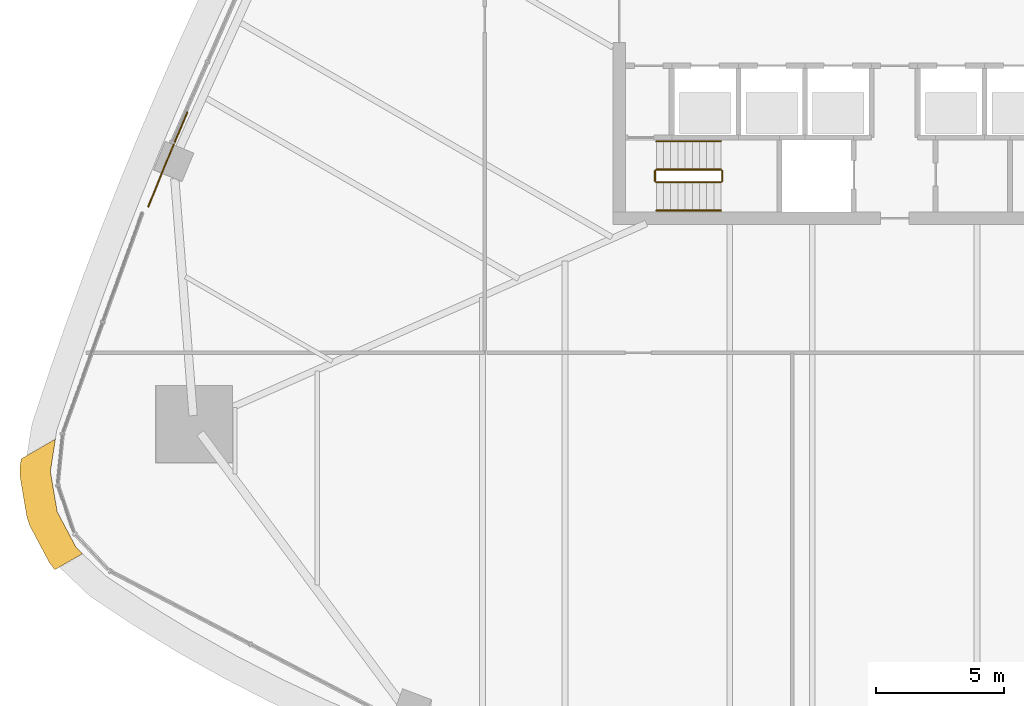
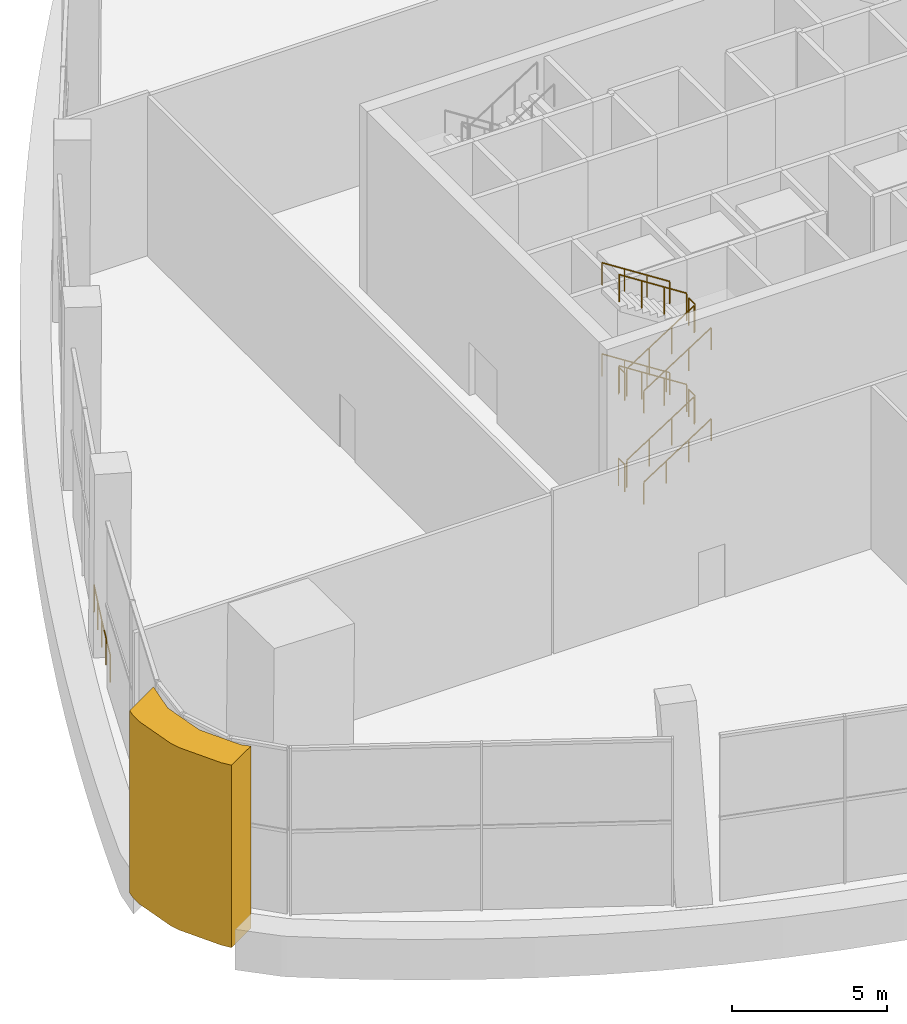
# One storey, part 17 of 23: 13 railings, 1 covering.
"""IFC4 building model written with IfcOpenShell, lengths in metres."""

from ifc_helpers import new_model, si_unit, direction, frame, origin, origin_2d, place, context, subcontext, project, spatial, polyline, circle, outline, extrude, material, layer, layer_set, type_object, element, save


model = new_model("IFC4")

# Units and contexts
model_context = context("Model", 3, precision=1e-05, world=origin(), true_north=direction((0.0, 1.0)))
body_context = subcontext(model_context, "Body", "Model", "MODEL_VIEW")
ifc_project = project(units=[si_unit("LENGTHUNIT", "METRE"), si_unit("AREAUNIT", "SQUARE_METRE"), si_unit("VOLUMEUNIT", "CUBIC_METRE"), si_unit("PLANEANGLEUNIT", "RADIAN"), si_unit("MASSUNIT", "GRAM", prefix="KILO")], contexts=[model_context])

# Site, building, storey
site_placement = place(None, origin())
site = spatial("IfcSite", under=ifc_project, at=site_placement, CompositionType="ELEMENT")
building_placement = place(site_placement, origin())
building = spatial("IfcBuilding", under=site, at=building_placement, Name="Sierra Prisma Convention Tower", CompositionType="ELEMENT")
storey_placement = place(building_placement, frame((0.0, 0.0, 40.800048828125)))
storey = spatial("IfcBuildingStorey", under=building, at=storey_placement, Name="L06", CompositionType="ELEMENT", Elevation=40.800048828125)

# Covering
ifc_material_1 = material(Name="Aluminium composite bronze anodised", Category="aluminium")
ifc_layer = layer(ifc_material_1, 1.199951171875)
ifc_layer_set = layer_set([ifc_layer], Name="Bronze corner pier")
covering_type = type_object("IfcCoveringType", Name="Bronze corner pier", PredefinedType="CLADDING", material=ifc_layer_set)
covering_placement = place(storey_placement, frame((0.0, 0.0, -0.60009765625)))
element("IfcCovering", 1, at=covering_placement, inside=storey, type_object=covering_type, Name="Corner pier SW L06.1", PredefinedType="CLADDING", context=body_context, shape_type="SweptSolid", body=[
    extrude(outline(polyline([(-33.001220703125, -21.1728515625), (-33.7470703125, -19.76513671875), (-33.869873046875, -19.4033203125), (-34.135009765625, -17.83251953125), (-34.1376953125, -17.4501953125), (-34.090087890625, -17.1416015625), (-32.757568359375, -16.372314453125), (-32.95166015625, -17.6328125), (-32.6865234375, -19.20361328125), (-31.94091796875, -20.611083984375), (-31.69970703125, -20.842041015625), (-32.77978515625, -21.4658203125), (-33.001220703125, -21.1728515625)])), origin(), (0.0, 0.0, 1.0), 7.199951171875),
])

# Railings
ifc_material_2 = material(Name="Stainless steel", Category="steel")
railing_type_1 = type_object("IfcRailingType", Name="Exit stair handrail", PredefinedType="HANDRAIL", material=ifc_material_2)
railing_1_placement = place(storey_placement, frame((-9.300048828125, -7.449951171875, 0.179931640625)))
element("IfcRailing", 2, at=railing_1_placement, inside=storey, type_object=railing_type_1, Name="L06 S1 stair handrail 1", PredefinedType="HANDRAIL", context=body_context, shape_type="SweptSolid", body=[
    extrude(circle(Radius=0.02392578125, at=origin_2d()), frame((0.0, 0.0, 0.8759765625), z_axis=(0.841162588446, 0.0, 0.540782303519), x_axis=(0.0, 1.0, 0.0)), (0.0, 0.0, 1.0), 2.995849609375),
    extrude(circle(Radius=0.02099609375, at=origin_2d()), origin(), (0.0, 0.0, 1.0), 0.851806640625),
    extrude(circle(Radius=0.02099609375, at=origin_2d()), frame((0.840087890625, 0.0, 0.5400390625)), (0.0, 0.0, 1.0), 0.851806640625),
    extrude(circle(Radius=0.02099609375, at=origin_2d()), frame((1.679931640625, 0.0, 1.080078125)), (0.0, 0.0, 1.0), 0.851806640625),
    extrude(circle(Radius=0.02099609375, at=origin_2d()), frame((2.52001953125, 0.0, 1.6201171875)), (0.0, 0.0, 1.0), 0.851806640625),
])
railing_2_placement = place(storey_placement, frame((-6.780029296875, -4.75, 1.97998046875)))
element("IfcRailing", 3, at=railing_2_placement, inside=storey, type_object=railing_type_1, Name="L06 S1 stair handrail 2", PredefinedType="HANDRAIL", context=body_context, shape_type="SweptSolid", body=[
    extrude(circle(Radius=0.02392578125, at=origin_2d()), frame((0.0, 0.0, 0.8759765625), z_axis=(-0.841199657755, 0.0, 0.540724639528), x_axis=(0.0, -1.0, 0.0)), (0.0, 0.0, 1.0), 2.995849609375),
    extrude(circle(Radius=0.02099609375, at=origin_2d()), origin(), (0.0, 0.0, 1.0), 0.851806640625),
    extrude(circle(Radius=0.02099609375, at=origin_2d()), frame((-0.840087890625, 0.0, 0.5400390625)), (0.0, 0.0, 1.0), 0.851806640625),
    extrude(circle(Radius=0.02099609375, at=origin_2d()), frame((-1.679931640625, 0.0, 1.079833984375)), (0.0, 0.0, 1.0), 0.851806640625),
    extrude(circle(Radius=0.02099609375, at=origin_2d()), frame((-2.52001953125, 0.0, 1.619873046875)), (0.0, 0.0, 1.0), 0.851806640625),
])
railing_3_placement = place(storey_placement, frame((-9.300048828125, -7.449951171875, 3.780029296875)))
element("IfcRailing", 4, at=railing_3_placement, inside=storey, type_object=railing_type_1, Name="L06 S1 stair handrail 3", PredefinedType="HANDRAIL", context=body_context, shape_type="SweptSolid", body=[
    extrude(circle(Radius=0.02392578125, at=origin_2d()), frame((0.0, 0.0, 0.8759765625), z_axis=(0.841199657755, 0.0, 0.540724639528), x_axis=(0.0, 1.0, 0.0)), (0.0, 0.0, 1.0), 2.995849609375),
    extrude(circle(Radius=0.02099609375, at=origin_2d()), origin(), (0.0, 0.0, 1.0), 0.851806640625),
    extrude(circle(Radius=0.02099609375, at=origin_2d()), frame((0.840087890625, 0.0, 0.5400390625)), (0.0, 0.0, 1.0), 0.851806640625),
    extrude(circle(Radius=0.02099609375, at=origin_2d()), frame((1.679931640625, 0.0, 1.079833984375)), (0.0, 0.0, 1.0), 0.851806640625),
    extrude(circle(Radius=0.02099609375, at=origin_2d()), frame((2.52001953125, 0.0, 1.619873046875)), (0.0, 0.0, 1.0), 0.851806640625),
])
railing_4_placement = place(storey_placement, frame((-6.780029296875, -4.75, 5.579833984375)))
element("IfcRailing", 5, at=railing_4_placement, inside=storey, type_object=railing_type_1, Name="L06 S1 stair handrail 4", PredefinedType="HANDRAIL", context=body_context, shape_type="SweptSolid", body=[
    extrude(circle(Radius=0.02392578125, at=origin_2d()), frame((0.0, 0.0, 0.8759765625), z_axis=(-0.841162588446, 0.0, 0.540782303519), x_axis=(0.0, -1.0, 0.0)), (0.0, 0.0, 1.0), 2.995849609375),
    extrude(circle(Radius=0.02099609375, at=origin_2d()), origin(), (0.0, 0.0, 1.0), 0.851806640625),
    extrude(circle(Radius=0.02099609375, at=origin_2d()), frame((-0.840087890625, 0.0, 0.5400390625)), (0.0, 0.0, 1.0), 0.851806640625),
    extrude(circle(Radius=0.02099609375, at=origin_2d()), frame((-1.679931640625, 0.0, 1.080078125)), (0.0, 0.0, 1.0), 0.851806640625),
    extrude(circle(Radius=0.02099609375, at=origin_2d()), frame((-2.52001953125, 0.0, 1.6201171875)), (0.0, 0.0, 1.0), 0.851806640625),
])
ifc_material_3 = material(Name="Bronze anodised aluminium", Category="aluminium")
railing_type_2 = type_object("IfcRailingType", Name="Facade guard 1100", PredefinedType="GUARDRAIL", material=ifc_material_3)
railing_5_placement = place(storey_placement, frame((-27.60400390625, -3.609130859375, 0.0)))
element("IfcRailing", 6, at=railing_5_placement, inside=storey, type_object=railing_type_2, Name="Facade guard", PredefinedType="GUARDRAIL", context=body_context, shape_type="SweptSolid", body=[
    extrude(circle(Radius=0.02392578125, at=origin_2d()), frame((0.0, 0.0, 1.076171875), z_axis=(-0.390380556885, -0.920653583497, 0.0), x_axis=(0.920653583497, -0.390380556885, 0.0)), (0.0, 0.0, 1.0), 1.0),
    extrude(circle(Radius=0.02392578125, at=origin_2d()), frame((-0.390380859375, -0.920654296875, 1.076171875), z_axis=(-0.386618926463, -0.922239559822, 0.0), x_axis=(0.922239559822, -0.386618926463, 0.0)), (0.0, 0.0, 1.0), 0.99462890625),
    extrude(circle(Radius=0.02392578125, at=origin_2d()), frame((-0.77490234375, -1.837890625, 1.076171875), z_axis=(-0.377738944961, -0.925912139168, 0.0), x_axis=(0.925912139168, -0.377738944961, 0.0)), (0.0, 0.0, 1.0), 0.999755859375),
    extrude(circle(Radius=0.02392578125, at=origin_2d()), frame((-1.152587890625, -2.763671875, 1.076171875), z_axis=(-0.373379079752, -0.927678857582, 0.0), x_axis=(0.927678857582, -0.373379079752, 0.0)), (0.0, 0.0, 1.0), 0.99462890625),
    extrude(circle(Radius=0.02099609375, at=origin_2d()), origin(), (0.0, 0.0, 1.0), 1.052001953125),
    extrude(circle(Radius=0.02099609375, at=origin_2d()), frame((-0.390380859375, -0.920654296875, 0.0)), (0.0, 0.0, 1.0), 1.052001953125),
    extrude(circle(Radius=0.02099609375, at=origin_2d()), frame((-0.77490234375, -1.837890625, 0.0)), (0.0, 0.0, 1.0), 1.052001953125),
    extrude(circle(Radius=0.02099609375, at=origin_2d()), frame((-1.152587890625, -2.763671875, 0.0)), (0.0, 0.0, 1.0), 1.052001953125),
    extrude(circle(Radius=0.02099609375, at=origin_2d()), frame((-1.52392578125, -3.686279296875, 0.0)), (0.0, 0.0, 1.0), 1.052001953125),
])
ifc_material_4 = material(Name="Stainless steel", Category="steel")
railing_type_3 = type_object("IfcRailingType", Name="Stair guard 1100", PredefinedType="GUARDRAIL", material=ifc_material_4)
railing_6_placement = place(storey_placement, frame((-9.300048828125, -6.35009765625, 0.179931640625)))
element("IfcRailing", 7, at=railing_6_placement, inside=storey, type_object=railing_type_3, Name="L06 S1 stair guard 1", PredefinedType="GUARDRAIL", context=body_context, shape_type="SweptSolid", body=[
    extrude(circle(Radius=0.02392578125, at=origin_2d()), frame((0.0, 0.0, 1.076171875), z_axis=(0.841162588446, 0.0, 0.540782303519), x_axis=(0.0, 1.0, 0.0)), (0.0, 0.0, 1.0), 2.995849609375),
    extrude(circle(Radius=0.02099609375, at=origin_2d()), origin(), (0.0, 0.0, 1.0), 1.052001953125),
    extrude(circle(Radius=0.02099609375, at=origin_2d()), frame((0.840087890625, 0.0, 0.5400390625)), (0.0, 0.0, 1.0), 1.052001953125),
    extrude(circle(Radius=0.02099609375, at=origin_2d()), frame((1.679931640625, 0.0, 1.080078125)), (0.0, 0.0, 1.0), 1.052001953125),
    extrude(circle(Radius=0.02099609375, at=origin_2d()), frame((2.52001953125, 0.0, 1.6201171875)), (0.0, 0.0, 1.0), 1.052001953125),
])
railing_7_placement = place(storey_placement, frame((-6.72998046875, -6.300048828125, 1.800048828125)))
element("IfcRailing", 8, at=railing_7_placement, inside=storey, type_object=railing_type_3, Name="L06 S1 stair guard 2", PredefinedType="GUARDRAIL", context=body_context, shape_type="SweptSolid", body=[
    extrude(circle(Radius=0.02392578125, at=origin_2d()), frame((0.0, 0.0, 1.076171875), z_axis=(0.0, 1.0, 0.0), x_axis=(-1.0, 0.0, 0.0)), (0.0, 0.0, 1.0), 0.400146484375),
    extrude(circle(Radius=0.02099609375, at=origin_2d()), origin(), (0.0, 0.0, 1.0), 1.052001953125),
    extrude(circle(Radius=0.02099609375, at=origin_2d()), frame((0.0, 0.400146484375, 0.0)), (0.0, 0.0, 1.0), 1.052001953125),
])
railing_8_placement = place(storey_placement, frame((-6.780029296875, -5.85009765625, 1.97998046875)))
element("IfcRailing", 9, at=railing_8_placement, inside=storey, type_object=railing_type_3, Name="L06 S1 stair guard 3", PredefinedType="GUARDRAIL", context=body_context, shape_type="SweptSolid", body=[
    extrude(circle(Radius=0.02392578125, at=origin_2d()), frame((0.0, 0.0, 1.076171875), z_axis=(-0.841199657755, 0.0, 0.540724639528), x_axis=(0.0, -1.0, 0.0)), (0.0, 0.0, 1.0), 2.995849609375),
    extrude(circle(Radius=0.02099609375, at=origin_2d()), origin(), (0.0, 0.0, 1.0), 1.052001953125),
    extrude(circle(Radius=0.02099609375, at=origin_2d()), frame((-0.840087890625, 0.0, 0.5400390625)), (0.0, 0.0, 1.0), 1.052001953125),
    extrude(circle(Radius=0.02099609375, at=origin_2d()), frame((-1.679931640625, 0.0, 1.079833984375)), (0.0, 0.0, 1.0), 1.052001953125),
    extrude(circle(Radius=0.02099609375, at=origin_2d()), frame((-2.52001953125, 0.0, 1.619873046875)), (0.0, 0.0, 1.0), 1.052001953125),
])
railing_9_placement = place(storey_placement, frame((-9.35009765625, -6.300048828125, 3.599853515625)))
element("IfcRailing", 10, at=railing_9_placement, inside=storey, type_object=railing_type_3, Name="L06 S1 stair guard 4", PredefinedType="GUARDRAIL", context=body_context, shape_type="SweptSolid", body=[
    extrude(circle(Radius=0.02392578125, at=origin_2d()), frame((0.0, 0.0, 1.076171875), z_axis=(0.0, 1.0, 0.0), x_axis=(-1.0, 0.0, 0.0)), (0.0, 0.0, 1.0), 0.400146484375),
    extrude(circle(Radius=0.02099609375, at=origin_2d()), origin(), (0.0, 0.0, 1.0), 1.052001953125),
    extrude(circle(Radius=0.02099609375, at=origin_2d()), frame((0.0, 0.400146484375, 0.0)), (0.0, 0.0, 1.0), 1.052001953125),
])
railing_10_placement = place(storey_placement, frame((-9.300048828125, -6.35009765625, 3.780029296875)))
element("IfcRailing", 11, at=railing_10_placement, inside=storey, type_object=railing_type_3, Name="L06 S1 stair guard 5", PredefinedType="GUARDRAIL", context=body_context, shape_type="SweptSolid", body=[
    extrude(circle(Radius=0.02392578125, at=origin_2d()), frame((0.0, 0.0, 1.076171875), z_axis=(0.841199657755, 0.0, 0.540724639528), x_axis=(0.0, 1.0, 0.0)), (0.0, 0.0, 1.0), 2.995849609375),
    extrude(circle(Radius=0.02099609375, at=origin_2d()), origin(), (0.0, 0.0, 1.0), 1.052001953125),
    extrude(circle(Radius=0.02099609375, at=origin_2d()), frame((0.840087890625, 0.0, 0.5400390625)), (0.0, 0.0, 1.0), 1.052001953125),
    extrude(circle(Radius=0.02099609375, at=origin_2d()), frame((1.679931640625, 0.0, 1.079833984375)), (0.0, 0.0, 1.0), 1.052001953125),
    extrude(circle(Radius=0.02099609375, at=origin_2d()), frame((2.52001953125, 0.0, 1.619873046875)), (0.0, 0.0, 1.0), 1.052001953125),
])
railing_11_placement = place(storey_placement, frame((-6.72998046875, -6.300048828125, 5.39990234375)))
element("IfcRailing", 12, at=railing_11_placement, inside=storey, type_object=railing_type_3, Name="L06 S1 stair guard 6", PredefinedType="GUARDRAIL", context=body_context, shape_type="SweptSolid", body=[
    extrude(circle(Radius=0.02392578125, at=origin_2d()), frame((0.0, 0.0, 1.076171875), z_axis=(0.0, 1.0, 0.0), x_axis=(-1.0, 0.0, 0.0)), (0.0, 0.0, 1.0), 0.400146484375),
    extrude(circle(Radius=0.02099609375, at=origin_2d()), origin(), (0.0, 0.0, 1.0), 1.052001953125),
    extrude(circle(Radius=0.02099609375, at=origin_2d()), frame((0.0, 0.400146484375, 0.0)), (0.0, 0.0, 1.0), 1.052001953125),
])
railing_12_placement = place(storey_placement, frame((-6.780029296875, -5.85009765625, 5.579833984375)))
element("IfcRailing", 13, at=railing_12_placement, inside=storey, type_object=railing_type_3, Name="L06 S1 stair guard 7", PredefinedType="GUARDRAIL", context=body_context, shape_type="SweptSolid", body=[
    extrude(circle(Radius=0.02392578125, at=origin_2d()), frame((0.0, 0.0, 1.076171875), z_axis=(-0.841162588446, 0.0, 0.540782303519), x_axis=(0.0, -1.0, 0.0)), (0.0, 0.0, 1.0), 2.995849609375),
    extrude(circle(Radius=0.02099609375, at=origin_2d()), origin(), (0.0, 0.0, 1.0), 1.052001953125),
    extrude(circle(Radius=0.02099609375, at=origin_2d()), frame((-0.840087890625, 0.0, 0.5400390625)), (0.0, 0.0, 1.0), 1.052001953125),
    extrude(circle(Radius=0.02099609375, at=origin_2d()), frame((-1.679931640625, 0.0, 1.080078125)), (0.0, 0.0, 1.0), 1.052001953125),
    extrude(circle(Radius=0.02099609375, at=origin_2d()), frame((-2.52001953125, 0.0, 1.6201171875)), (0.0, 0.0, 1.0), 1.052001953125),
])
railing_13_placement = place(storey_placement, frame((-9.35009765625, -6.300048828125, 0.0)))
element("IfcRailing", 14, at=railing_13_placement, inside=storey, type_object=railing_type_3, Name="L06 S1 stair guard 8", PredefinedType="GUARDRAIL", context=body_context, shape_type="SweptSolid", body=[
    extrude(circle(Radius=0.02392578125, at=origin_2d()), frame((0.0, 0.0, 1.076171875), z_axis=(0.0, 1.0, 0.0), x_axis=(-1.0, 0.0, 0.0)), (0.0, 0.0, 1.0), 0.400146484375),
    extrude(circle(Radius=0.02099609375, at=origin_2d()), origin(), (0.0, 0.0, 1.0), 1.052001953125),
    extrude(circle(Radius=0.02099609375, at=origin_2d()), frame((0.0, 0.400146484375, 0.0)), (0.0, 0.0, 1.0), 1.052001953125),
])

save(model, "model.ifc")
